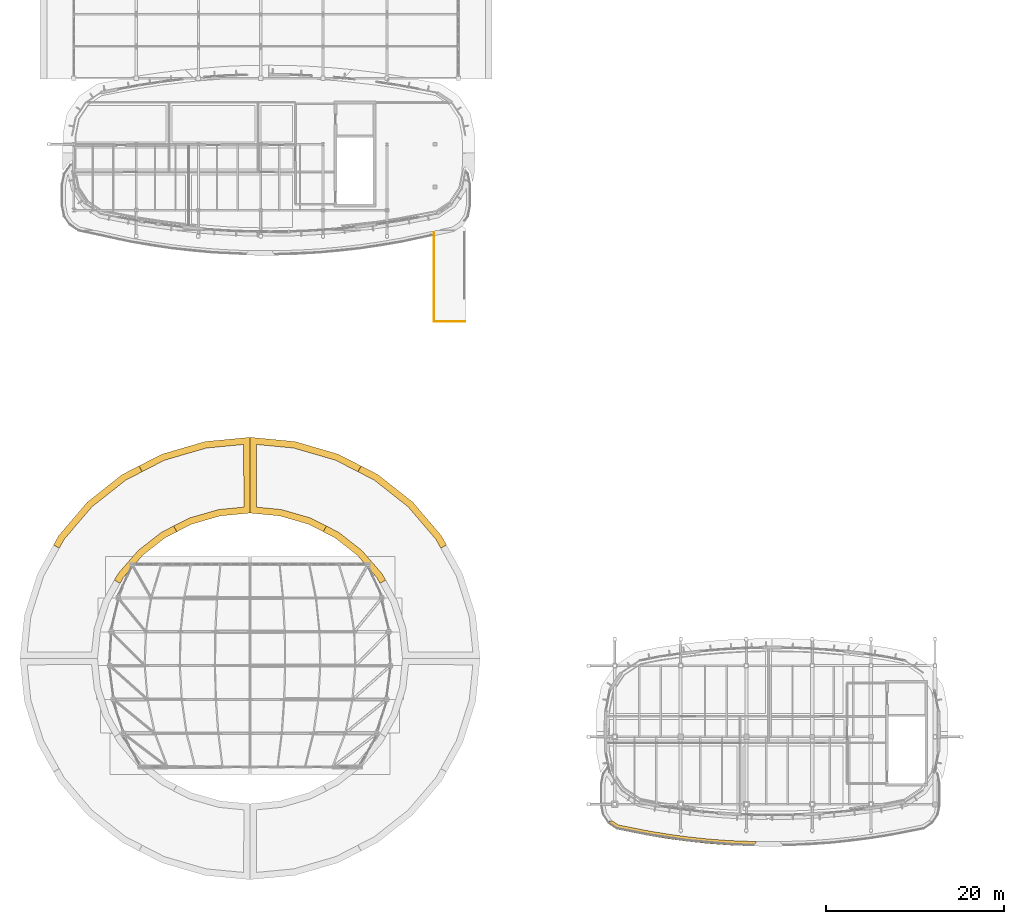
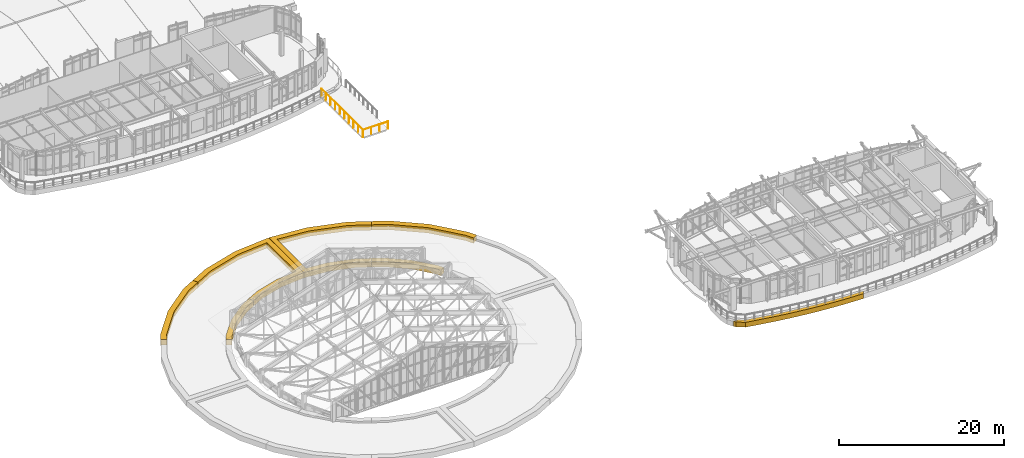
# One storey, part 93 of 105: 7 coverings, 2 railings.
"""IFC4 building model written with IfcOpenShell, lengths in metres."""

from ifc_helpers import new_model, si_unit, direction, frame, origin, origin_2d, place, context, subcontext, project, spatial, polyline, circle, outline, extrude, material, layer, layer_set, type_object, element, save


model = new_model("IFC4")

# Units and contexts
model_context = context("Model", 3, precision=1e-05, world=origin(), true_north=direction((0.0, 1.0)))
body_context = subcontext(model_context, "Body", "Model", "MODEL_VIEW")
ifc_project = project(units=[si_unit("LENGTHUNIT", "METRE"), si_unit("AREAUNIT", "SQUARE_METRE"), si_unit("VOLUMEUNIT", "CUBIC_METRE"), si_unit("PLANEANGLEUNIT", "RADIAN"), si_unit("MASSUNIT", "GRAM", prefix="KILO")], contexts=[model_context])

# Site, building, storey
site_placement = place(None, origin())
site = spatial("IfcSite", under=ifc_project, at=site_placement, CompositionType="ELEMENT")
building_placement = place(site_placement, origin())
building = spatial("IfcBuilding", under=site, at=building_placement, Name="Corveleigh Park Community Centre", CompositionType="ELEMENT")
storey_placement = place(building_placement, frame((0.0, 0.0, 8.699951171875)))
storey = spatial("IfcBuildingStorey", under=building, at=storey_placement, Name="L02", CompositionType="ELEMENT", Elevation=8.699951171875)

# Coverings
ifc_material_1 = material(Name="White architectural fascia cladding", Category="masonry")
ifc_layer = layer(ifc_material_1, 0.074951171875, Name="White architectural fascia cladding", Category="masonry")
ifc_layer_set = layer_set([ifc_layer], Name="White architectural fascia cladding")
covering_type = type_object("IfcCoveringType", Name="COV-CLD-WHT", PredefinedType="CLADDING", material=ifc_layer_set)
covering_1_placement = place(storey_placement, frame((0.0, 0.0, -0.52001953125)))
element("IfcCovering", 1, at=covering_1_placement, inside=storey, type_object=covering_type, Name="Main Hall Conical Overhang White Fascia 2", PredefinedType="CLADDING", context=body_context, shape_type="SweptSolid", body=[
    extrude(outline(polyline([(45.361083984375, 48.27294921875), (49.2890625, 45.175048828125), (52.498046875, 41.4169921875), (53.083984375, 40.364990234375), (52.443115234375, 39.9951171875), (51.89111328125, 40.988037109375), (48.76904296875, 44.64404296875), (44.965087890625, 47.64501953125), (43.131103515625, 48.5869140625), (43.501953125, 49.22900390625), (45.361083984375, 48.27294921875)])), origin(), (0.0, 0.0, 1.0), 0.800048828125),
])
covering_2_placement = place(storey_placement, frame((0.0, 0.0, -0.52001953125)))
element("IfcCovering", 2, at=covering_2_placement, inside=storey, type_object=covering_type, Name="Main Hall Conical Overhang White Fascia 3", PredefinedType="CLADDING", context=body_context, shape_type="SweptSolid", body=[
    extrude(outline(polyline([(45.251953125, 36.676025390625), (43.1201171875, 39.153076171875), (40.52392578125, 41.18505859375), (39.23291015625, 41.843017578125), (39.60400390625, 42.485107421875), (40.97509765625, 41.77197265625), (43.5810546875, 39.73291015625), (45.81591796875, 37.155029296875), (46.248046875, 36.4130859375), (45.60693359375, 36.04296875), (45.251953125, 36.676025390625)])), origin(), (0.0, 0.0, 1.0), 0.800048828125),
])
covering_3_placement = place(storey_placement, frame((0.0, 0.0, -0.52001953125)))
element("IfcCovering", 3, at=covering_3_placement, inside=storey, type_object=covering_type, Name="Main Hall Conical Overhang White Fascia 4", PredefinedType="CLADDING", context=body_context, shape_type="SweptSolid", body=[
    extrude(outline(polyline([(31.02392578125, 52.4599609375), (36.050048828125, 51.98095703125), (40.889892578125, 50.570068359375), (43.47998046875, 49.239990234375), (43.10888671875, 48.597900390625), (40.6201171875, 49.876953125), (35.904052734375, 51.251953125), (31.7099609375, 51.652099609375), (31.701904296875, 44.618896484375), (34.544921875, 44.337890625), (37.77099609375, 43.405029296875), (39.587890625, 42.492919921875), (39.218017578125, 41.85107421875), (37.56005859375, 42.696044921875), (34.344970703125, 43.6259765625), (31.008056640625, 43.94189453125), (31.02392578125, 52.4599609375)])), origin(), (0.0, 0.0, 1.0), 0.800048828125),
])
covering_4_placement = place(storey_placement, frame((0.0, 0.0, -0.52001953125)))
element("IfcCovering", 4, at=covering_4_placement, inside=storey, type_object=covering_type, Name="Main Hall Conical Overhang White Fascia 5", PredefinedType="CLADDING", context=body_context, shape_type="SweptSolid", body=[
    extrude(outline(polyline([(21.10009765625, 50.56494140625), (25.9609375, 51.98291015625), (30.988037109375, 52.45703125), (30.991943359375, 43.94189453125), (27.655029296875, 43.6259765625), (24.43994140625, 42.696044921875), (22.781982421875, 41.85107421875), (22.412109375, 42.492919921875), (24.22900390625, 43.405029296875), (27.455078125, 44.337890625), (30.298095703125, 44.618896484375), (30.2900390625, 51.652099609375), (26.095947265625, 51.251953125), (21.3798828125, 49.876953125), (18.89111328125, 48.597900390625), (18.52001953125, 49.239990234375), (21.10009765625, 50.56494140625)])), origin(), (0.0, 0.0, 1.0), 0.800048828125),
])
covering_5_placement = place(storey_placement, frame((0.0, 0.0, -0.52001953125)))
element("IfcCovering", 5, at=covering_5_placement, inside=storey, type_object=covering_type, Name="Main Hall Conical Overhang White Fascia 6", PredefinedType="CLADDING", context=body_context, shape_type="SweptSolid", body=[
    extrude(outline(polyline([(9.49609375, 41.406982421875), (12.719970703125, 45.18310546875), (16.62890625, 48.26708984375), (18.498046875, 49.22900390625), (18.868896484375, 48.5869140625), (17.034912109375, 47.64501953125), (13.23095703125, 44.64404296875), (10.10888671875, 40.988037109375), (9.556884765625, 39.9951171875), (8.916015625, 40.364990234375), (9.49609375, 41.406982421875)])), origin(), (0.0, 0.0, 1.0), 0.800048828125),
])
covering_6_placement = place(storey_placement, frame((0.0, 0.0, -0.52001953125)))
element("IfcCovering", 6, at=covering_6_placement, inside=storey, type_object=covering_type, Name="Main Hall Conical Overhang White Fascia 7", PredefinedType="CLADDING", context=body_context, shape_type="SweptSolid", body=[
    extrude(outline(polyline([(21.47607421875, 41.18505859375), (18.8798828125, 39.153076171875), (16.748046875, 36.676025390625), (16.39306640625, 36.04296875), (15.751953125, 36.4130859375), (16.18408203125, 37.155029296875), (18.4189453125, 39.73291015625), (21.02490234375, 41.77197265625), (22.39599609375, 42.485107421875), (22.76708984375, 41.843017578125), (21.47607421875, 41.18505859375)])), origin(), (0.0, 0.0, 1.0), 0.800048828125),
])
covering_7_placement = place(storey_placement, frame((0.0, 0.0, -0.679931640625)))
element("IfcCovering", 7, at=covering_7_placement, inside=storey, type_object=covering_type, Name="Park Outlook Seminar Terrace Sweeping White Edge Band 3", PredefinedType="CLADDING", context=body_context, shape_type="SweptSolid", body=[
    extrude(outline(polyline([(87.626953125, 6.4990234375), (84.863037109375, 6.60888671875), (82.550048828125, 6.781982421875), (80.242919921875, 7.02392578125), (77.945068359375, 7.333984375), (75.656005859375, 7.714111328125), (72.22998046875, 8.389892578125), (71.2529296875, 9.0419921875), (71.05908203125, 9.326904296875), (71.761962890625, 9.326904296875), (72.431884765625, 8.87890625), (75.7490234375, 8.22509765625), (78.02099609375, 7.84912109375), (80.304931640625, 7.541015625), (82.596923828125, 7.300048828125), (84.89501953125, 7.1279296875), (87.925048828125, 7.014892578125), (87.626953125, 6.4990234375)])), origin(), (0.0, 0.0, 1.0), 0.719970703125),
])

# Railings
ifc_material_2 = material(Name="Stainless steel 316 balustrade", Category="steel")
railing_type = type_object("IfcRailingType", Name="RLG-BAL-EXT-1100", PredefinedType="BALUSTRADE", material=ifc_material_2)
railing_1_placement = place(storey_placement, frame((51.679931640625, 65.47998046875, 0.0)))
element("IfcRailing", 8, at=railing_1_placement, inside=storey, type_object=railing_type, Name="Roof Promenade Bridge Guard RLG-PBRG-WT-W", PredefinedType="BALUSTRADE", context=body_context, shape_type="SweptSolid", body=[
    extrude(circle(Radius=0.02392578125, at=origin_2d()), frame((0.0, 0.0, 1.076171875), z_axis=(0.0, 1.0, 0.0), x_axis=(-1.0, 0.0, 0.0)), (0.0, 0.0, 1.0), 10.02001953125),
    extrude(circle(Radius=0.02099609375, at=origin_2d()), origin(), (0.0, 0.0, 1.0), 1.052001953125),
    extrude(circle(Radius=0.02099609375, at=origin_2d()), frame((0.0, 1.11328125, 0.0)), (0.0, 0.0, 1.0), 1.052001953125),
    extrude(circle(Radius=0.02099609375, at=origin_2d()), frame((0.0, 2.2265625, 0.0)), (0.0, 0.0, 1.0), 1.052001953125),
    extrude(circle(Radius=0.02099609375, at=origin_2d()), frame((0.0, 3.340087890625, 0.0)), (0.0, 0.0, 1.0), 1.052001953125),
    extrude(circle(Radius=0.02099609375, at=origin_2d()), frame((0.0, 4.453369140625, 0.0)), (0.0, 0.0, 1.0), 1.052001953125),
    extrude(circle(Radius=0.02099609375, at=origin_2d()), frame((0.0, 5.566650390625, 0.0)), (0.0, 0.0, 1.0), 1.052001953125),
    extrude(circle(Radius=0.02099609375, at=origin_2d()), frame((0.0, 6.679931640625, 0.0)), (0.0, 0.0, 1.0), 1.052001953125),
    extrude(circle(Radius=0.02099609375, at=origin_2d()), frame((0.0, 7.79345703125, 0.0)), (0.0, 0.0, 1.0), 1.052001953125),
    extrude(circle(Radius=0.02099609375, at=origin_2d()), frame((0.0, 8.90673828125, 0.0)), (0.0, 0.0, 1.0), 1.052001953125),
    extrude(circle(Radius=0.02099609375, at=origin_2d()), frame((0.0, 10.02001953125, 0.0)), (0.0, 0.0, 1.0), 1.052001953125),
])
railing_2_placement = place(storey_placement, frame((51.679931640625, 65.47998046875, 0.0)))
element("IfcRailing", 9, at=railing_2_placement, inside=storey, type_object=railing_type, Name="Roof Promenade Bridge Guard RLG-PBRG-WT-S", PredefinedType="BALUSTRADE", context=body_context, shape_type="SweptSolid", body=[
    extrude(circle(Radius=0.02392578125, at=origin_2d()), frame((0.0, 0.0, 1.076171875), z_axis=(1.0, 0.0, 0.0), x_axis=(0.0, 1.0, 0.0)), (0.0, 0.0, 1.0), 3.52001953125),
    extrude(circle(Radius=0.02099609375, at=origin_2d()), origin(), (0.0, 0.0, 1.0), 1.052001953125),
    extrude(circle(Radius=0.02099609375, at=origin_2d()), frame((1.17333984375, 0.0, 0.0)), (0.0, 0.0, 1.0), 1.052001953125),
    extrude(circle(Radius=0.02099609375, at=origin_2d()), frame((2.3466796875, 0.0, 0.0)), (0.0, 0.0, 1.0), 1.052001953125),
    extrude(circle(Radius=0.02099609375, at=origin_2d()), frame((3.52001953125, 0.0, 0.0)), (0.0, 0.0, 1.0), 1.052001953125),
])

save(model, "model.ifc")
